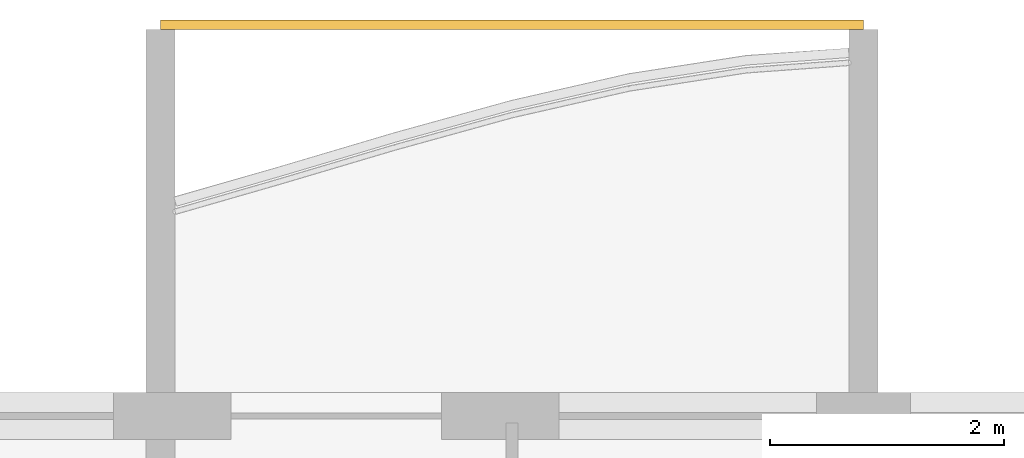
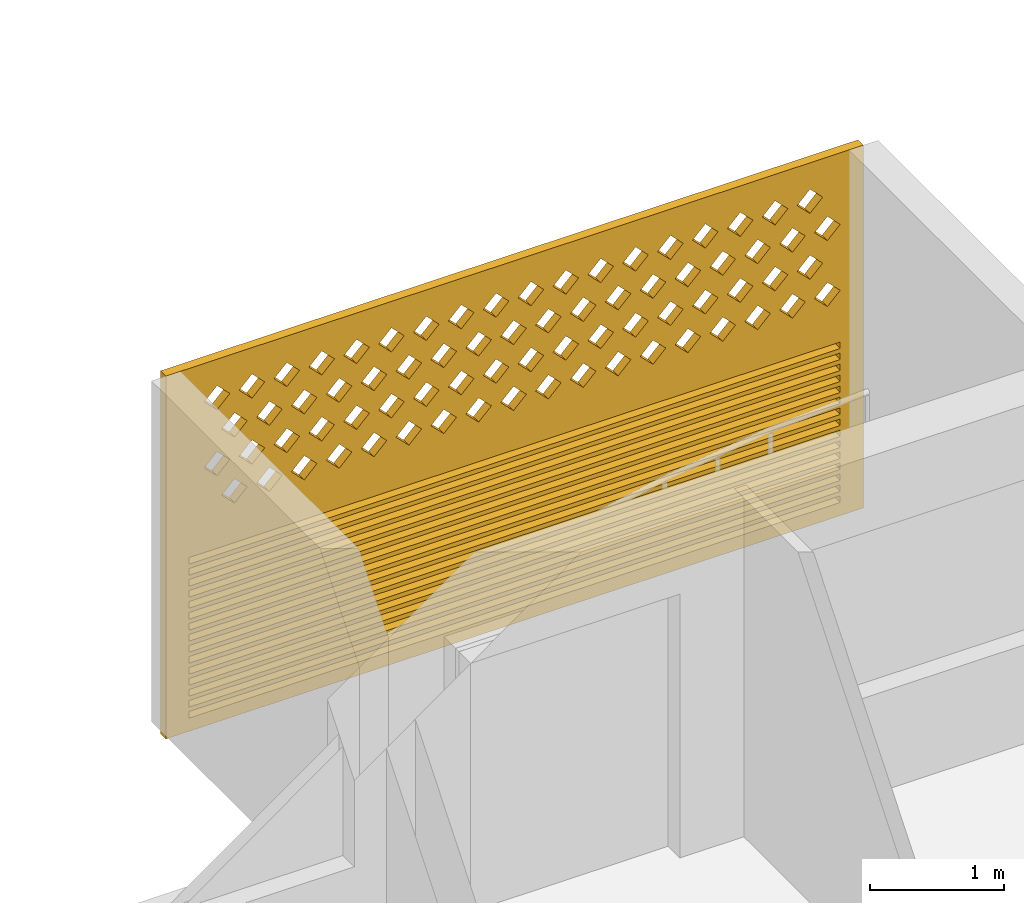
# One storey, part 21 of 27: 1 covering.
"""IFC4 building model written with IfcOpenShell, lengths in metres."""

from ifc_helpers import new_model, si_unit, direction, frame, origin, place, context, subcontext, project, spatial, polyline, outline, extrude, source, transform, mapped, material, material_profile, profile_set, type_object, element, save


model = new_model("IFC4")

# Units and contexts
model_context = context("Model", 3, precision=1e-05, world=origin(), true_north=direction((0.0, 1.0)))
body_context = subcontext(model_context, "Body", "Model", "MODEL_VIEW")
ifc_project = project(units=[si_unit("LENGTHUNIT", "METRE"), si_unit("AREAUNIT", "SQUARE_METRE"), si_unit("VOLUMEUNIT", "CUBIC_METRE"), si_unit("PLANEANGLEUNIT", "RADIAN"), si_unit("MASSUNIT", "GRAM", prefix="KILO")], contexts=[model_context])

# Site, building, storey
site_placement = place(None, origin())
site = spatial("IfcSite", under=ifc_project, at=site_placement, CompositionType="ELEMENT")
building_placement = place(site_placement, origin())
building = spatial("IfcBuilding", under=site, at=building_placement, Name="Poui Terraces", CompositionType="ELEMENT")
storey_placement = place(building_placement, frame((0.0, 0.0, 198.300048828125)))
storey = spatial("IfcBuildingStorey", under=building, at=storey_placement, Name="L55", CompositionType="ELEMENT", Elevation=198.300048828125)

# Covering
ifc_material = material(Name="Terracotta screen", Category="masonry")
ifc_material_profile = material_profile(ifc_material, outline(polyline([(-3.0, -1.64990234375), (3.0, -1.64990234375), (3.0, 1.64990234375), (-3.0, 1.64990234375), (-3.0, -1.64990234375)]), holes=[polyline([(-2.800048828125, 0.39990234375), (-2.68994140625, 0.2900390625), (-2.580078125, 0.39990234375), (-2.68994140625, 0.510009765625), (-2.800048828125, 0.39990234375)]), polyline([(-2.5, 0.39990234375), (-2.389892578125, 0.2900390625), (-2.280029296875, 0.39990234375), (-2.389892578125, 0.510009765625), (-2.5, 0.39990234375)]), polyline([(-2.199951171875, 0.39990234375), (-2.090087890625, 0.2900390625), (-1.97998046875, 0.39990234375), (-2.090087890625, 0.510009765625), (-2.199951171875, 0.39990234375)]), polyline([(-1.89990234375, 0.39990234375), (-1.7900390625, 0.2900390625), (-1.679931640625, 0.39990234375), (-1.7900390625, 0.510009765625), (-1.89990234375, 0.39990234375)]), polyline([(-1.60009765625, 0.39990234375), (-1.489990234375, 0.2900390625), (-1.3798828125, 0.39990234375), (-1.489990234375, 0.510009765625), (-1.60009765625, 0.39990234375)]), polyline([(-1.300048828125, 0.39990234375), (-1.18994140625, 0.2900390625), (-1.080078125, 0.39990234375), (-1.18994140625, 0.510009765625), (-1.300048828125, 0.39990234375)]), polyline([(-1.0, 0.39990234375), (-0.889892578125, 0.2900390625), (-0.780029296875, 0.39990234375), (-0.889892578125, 0.510009765625), (-1.0, 0.39990234375)]), polyline([(-0.699951171875, 0.39990234375), (-0.590087890625, 0.2900390625), (-0.47998046875, 0.39990234375), (-0.590087890625, 0.510009765625), (-0.699951171875, 0.39990234375)]), polyline([(-0.39990234375, 0.39990234375), (-0.2900390625, 0.2900390625), (-0.179931640625, 0.39990234375), (-0.2900390625, 0.510009765625), (-0.39990234375, 0.39990234375)]), polyline([(-0.10009765625, 0.39990234375), (0.010009765625, 0.2900390625), (0.1201171875, 0.39990234375), (0.010009765625, 0.510009765625), (-0.10009765625, 0.39990234375)]), polyline([(0.199951171875, 0.39990234375), (0.31005859375, 0.2900390625), (0.419921875, 0.39990234375), (0.31005859375, 0.510009765625), (0.199951171875, 0.39990234375)]), polyline([(0.5, 0.39990234375), (0.610107421875, 0.2900390625), (0.719970703125, 0.39990234375), (0.610107421875, 0.510009765625), (0.5, 0.39990234375)]), polyline([(0.800048828125, 0.39990234375), (0.909912109375, 0.2900390625), (1.02001953125, 0.39990234375), (0.909912109375, 0.510009765625), (0.800048828125, 0.39990234375)]), polyline([(1.10009765625, 0.39990234375), (1.2099609375, 0.2900390625), (1.320068359375, 0.39990234375), (1.2099609375, 0.510009765625), (1.10009765625, 0.39990234375)]), polyline([(1.39990234375, 0.39990234375), (1.510009765625, 0.2900390625), (1.6201171875, 0.39990234375), (1.510009765625, 0.510009765625), (1.39990234375, 0.39990234375)]), polyline([(1.699951171875, 0.39990234375), (1.81005859375, 0.2900390625), (1.919921875, 0.39990234375), (1.81005859375, 0.510009765625), (1.699951171875, 0.39990234375)]), polyline([(2.0, 0.39990234375), (2.110107421875, 0.2900390625), (2.219970703125, 0.39990234375), (2.110107421875, 0.510009765625), (2.0, 0.39990234375)]), polyline([(2.300048828125, 0.39990234375), (2.409912109375, 0.2900390625), (2.52001953125, 0.39990234375), (2.409912109375, 0.510009765625), (2.300048828125, 0.39990234375)]), polyline([(-2.64990234375, 0.699951171875), (-2.5400390625, 0.590087890625), (-2.429931640625, 0.699951171875), (-2.5400390625, 0.81005859375), (-2.64990234375, 0.699951171875)]), polyline([(-2.35009765625, 0.699951171875), (-2.239990234375, 0.590087890625), (-2.1298828125, 0.699951171875), (-2.239990234375, 0.81005859375), (-2.35009765625, 0.699951171875)]), polyline([(-2.050048828125, 0.699951171875), (-1.93994140625, 0.590087890625), (-1.830078125, 0.699951171875), (-1.93994140625, 0.81005859375), (-2.050048828125, 0.699951171875)]), polyline([(-1.75, 0.699951171875), (-1.639892578125, 0.590087890625), (-1.530029296875, 0.699951171875), (-1.639892578125, 0.81005859375), (-1.75, 0.699951171875)]), polyline([(-1.449951171875, 0.699951171875), (-1.340087890625, 0.590087890625), (-1.22998046875, 0.699951171875), (-1.340087890625, 0.81005859375), (-1.449951171875, 0.699951171875)]), polyline([(-1.14990234375, 0.699951171875), (-1.0400390625, 0.590087890625), (-0.929931640625, 0.699951171875), (-1.0400390625, 0.81005859375), (-1.14990234375, 0.699951171875)]), polyline([(-0.85009765625, 0.699951171875), (-0.739990234375, 0.590087890625), (-0.6298828125, 0.699951171875), (-0.739990234375, 0.81005859375), (-0.85009765625, 0.699951171875)]), polyline([(-0.550048828125, 0.699951171875), (-0.43994140625, 0.590087890625), (-0.330078125, 0.699951171875), (-0.43994140625, 0.81005859375), (-0.550048828125, 0.699951171875)]), polyline([(-0.25, 0.699951171875), (-0.139892578125, 0.590087890625), (-0.030029296875, 0.699951171875), (-0.139892578125, 0.81005859375), (-0.25, 0.699951171875)]), polyline([(0.050048828125, 0.699951171875), (0.159912109375, 0.590087890625), (0.27001953125, 0.699951171875), (0.159912109375, 0.81005859375), (0.050048828125, 0.699951171875)]), polyline([(0.35009765625, 0.699951171875), (0.4599609375, 0.590087890625), (0.570068359375, 0.699951171875), (0.4599609375, 0.81005859375), (0.35009765625, 0.699951171875)]), polyline([(0.64990234375, 0.699951171875), (0.760009765625, 0.590087890625), (0.8701171875, 0.699951171875), (0.760009765625, 0.81005859375), (0.64990234375, 0.699951171875)]), polyline([(0.949951171875, 0.699951171875), (1.06005859375, 0.590087890625), (1.169921875, 0.699951171875), (1.06005859375, 0.81005859375), (0.949951171875, 0.699951171875)]), polyline([(1.25, 0.699951171875), (1.360107421875, 0.590087890625), (1.469970703125, 0.699951171875), (1.360107421875, 0.81005859375), (1.25, 0.699951171875)]), polyline([(1.550048828125, 0.699951171875), (1.659912109375, 0.590087890625), (1.77001953125, 0.699951171875), (1.659912109375, 0.81005859375), (1.550048828125, 0.699951171875)]), polyline([(1.85009765625, 0.699951171875), (1.9599609375, 0.590087890625), (2.070068359375, 0.699951171875), (1.9599609375, 0.81005859375), (1.85009765625, 0.699951171875)]), polyline([(2.14990234375, 0.699951171875), (2.260009765625, 0.590087890625), (2.3701171875, 0.699951171875), (2.260009765625, 0.81005859375), (2.14990234375, 0.699951171875)]), polyline([(2.449951171875, 0.699951171875), (2.56005859375, 0.590087890625), (2.669921875, 0.699951171875), (2.56005859375, 0.81005859375), (2.449951171875, 0.699951171875)]), polyline([(-2.800048828125, 1.0), (-2.68994140625, 0.889892578125), (-2.580078125, 1.0), (-2.68994140625, 1.110107421875), (-2.800048828125, 1.0)]), polyline([(-2.5, 1.0), (-2.389892578125, 0.889892578125), (-2.280029296875, 1.0), (-2.389892578125, 1.110107421875), (-2.5, 1.0)]), polyline([(-2.199951171875, 1.0), (-2.090087890625, 0.889892578125), (-1.97998046875, 1.0), (-2.090087890625, 1.110107421875), (-2.199951171875, 1.0)]), polyline([(-1.89990234375, 1.0), (-1.7900390625, 0.889892578125), (-1.679931640625, 1.0), (-1.7900390625, 1.110107421875), (-1.89990234375, 1.0)]), polyline([(-1.60009765625, 1.0), (-1.489990234375, 0.889892578125), (-1.3798828125, 1.0), (-1.489990234375, 1.110107421875), (-1.60009765625, 1.0)]), polyline([(-1.300048828125, 1.0), (-1.18994140625, 0.889892578125), (-1.080078125, 1.0), (-1.18994140625, 1.110107421875), (-1.300048828125, 1.0)]), polyline([(-1.0, 1.0), (-0.889892578125, 0.889892578125), (-0.780029296875, 1.0), (-0.889892578125, 1.110107421875), (-1.0, 1.0)]), polyline([(-0.699951171875, 1.0), (-0.590087890625, 0.889892578125), (-0.47998046875, 1.0), (-0.590087890625, 1.110107421875), (-0.699951171875, 1.0)]), polyline([(-0.39990234375, 1.0), (-0.2900390625, 0.889892578125), (-0.179931640625, 1.0), (-0.2900390625, 1.110107421875), (-0.39990234375, 1.0)]), polyline([(-0.10009765625, 1.0), (0.010009765625, 0.889892578125), (0.1201171875, 1.0), (0.010009765625, 1.110107421875), (-0.10009765625, 1.0)]), polyline([(0.199951171875, 1.0), (0.31005859375, 0.889892578125), (0.419921875, 1.0), (0.31005859375, 1.110107421875), (0.199951171875, 1.0)]), polyline([(0.5, 1.0), (0.610107421875, 0.889892578125), (0.719970703125, 1.0), (0.610107421875, 1.110107421875), (0.5, 1.0)]), polyline([(0.800048828125, 1.0), (0.909912109375, 0.889892578125), (1.02001953125, 1.0), (0.909912109375, 1.110107421875), (0.800048828125, 1.0)]), polyline([(1.10009765625, 1.0), (1.2099609375, 0.889892578125), (1.320068359375, 1.0), (1.2099609375, 1.110107421875), (1.10009765625, 1.0)]), polyline([(1.39990234375, 1.0), (1.510009765625, 0.889892578125), (1.6201171875, 1.0), (1.510009765625, 1.110107421875), (1.39990234375, 1.0)]), polyline([(1.699951171875, 1.0), (1.81005859375, 0.889892578125), (1.919921875, 1.0), (1.81005859375, 1.110107421875), (1.699951171875, 1.0)]), polyline([(2.0, 1.0), (2.110107421875, 0.889892578125), (2.219970703125, 1.0), (2.110107421875, 1.110107421875), (2.0, 1.0)]), polyline([(2.300048828125, 1.0), (2.409912109375, 0.889892578125), (2.52001953125, 1.0), (2.409912109375, 1.110107421875), (2.300048828125, 1.0)]), polyline([(-2.64990234375, 1.300048828125), (-2.5400390625, 1.18994140625), (-2.429931640625, 1.300048828125), (-2.5400390625, 1.409912109375), (-2.64990234375, 1.300048828125)]), polyline([(-2.35009765625, 1.300048828125), (-2.239990234375, 1.18994140625), (-2.1298828125, 1.300048828125), (-2.239990234375, 1.409912109375), (-2.35009765625, 1.300048828125)]), polyline([(-2.050048828125, 1.300048828125), (-1.93994140625, 1.18994140625), (-1.830078125, 1.300048828125), (-1.93994140625, 1.409912109375), (-2.050048828125, 1.300048828125)]), polyline([(-1.75, 1.300048828125), (-1.639892578125, 1.18994140625), (-1.530029296875, 1.300048828125), (-1.639892578125, 1.409912109375), (-1.75, 1.300048828125)]), polyline([(-1.449951171875, 1.300048828125), (-1.340087890625, 1.18994140625), (-1.22998046875, 1.300048828125), (-1.340087890625, 1.409912109375), (-1.449951171875, 1.300048828125)]), polyline([(-1.14990234375, 1.300048828125), (-1.0400390625, 1.18994140625), (-0.929931640625, 1.300048828125), (-1.0400390625, 1.409912109375), (-1.14990234375, 1.300048828125)]), polyline([(-0.85009765625, 1.300048828125), (-0.739990234375, 1.18994140625), (-0.6298828125, 1.300048828125), (-0.739990234375, 1.409912109375), (-0.85009765625, 1.300048828125)]), polyline([(-0.550048828125, 1.300048828125), (-0.43994140625, 1.18994140625), (-0.330078125, 1.300048828125), (-0.43994140625, 1.409912109375), (-0.550048828125, 1.300048828125)]), polyline([(-0.25, 1.300048828125), (-0.139892578125, 1.18994140625), (-0.030029296875, 1.300048828125), (-0.139892578125, 1.409912109375), (-0.25, 1.300048828125)]), polyline([(0.050048828125, 1.300048828125), (0.159912109375, 1.18994140625), (0.27001953125, 1.300048828125), (0.159912109375, 1.409912109375), (0.050048828125, 1.300048828125)]), polyline([(0.35009765625, 1.300048828125), (0.4599609375, 1.18994140625), (0.570068359375, 1.300048828125), (0.4599609375, 1.409912109375), (0.35009765625, 1.300048828125)]), polyline([(0.64990234375, 1.300048828125), (0.760009765625, 1.18994140625), (0.8701171875, 1.300048828125), (0.760009765625, 1.409912109375), (0.64990234375, 1.300048828125)]), polyline([(0.949951171875, 1.300048828125), (1.06005859375, 1.18994140625), (1.169921875, 1.300048828125), (1.06005859375, 1.409912109375), (0.949951171875, 1.300048828125)]), polyline([(1.25, 1.300048828125), (1.360107421875, 1.18994140625), (1.469970703125, 1.300048828125), (1.360107421875, 1.409912109375), (1.25, 1.300048828125)]), polyline([(1.550048828125, 1.300048828125), (1.659912109375, 1.18994140625), (1.77001953125, 1.300048828125), (1.659912109375, 1.409912109375), (1.550048828125, 1.300048828125)]), polyline([(1.85009765625, 1.300048828125), (1.9599609375, 1.18994140625), (2.070068359375, 1.300048828125), (1.9599609375, 1.409912109375), (1.85009765625, 1.300048828125)]), polyline([(2.14990234375, 1.300048828125), (2.260009765625, 1.18994140625), (2.3701171875, 1.300048828125), (2.260009765625, 1.409912109375), (2.14990234375, 1.300048828125)]), polyline([(2.449951171875, 1.300048828125), (2.56005859375, 1.18994140625), (2.669921875, 1.300048828125), (2.56005859375, 1.409912109375), (2.449951171875, 1.300048828125)]), polyline([(-2.800048828125, -1.530029296875), (2.800048828125, -1.530029296875), (2.800048828125, -1.469970703125), (-2.800048828125, -1.469970703125), (-2.800048828125, -1.530029296875)]), polyline([(-2.800048828125, -1.429931640625), (2.800048828125, -1.429931640625), (2.800048828125, -1.3701171875), (-2.800048828125, -1.3701171875), (-2.800048828125, -1.429931640625)]), polyline([(-2.800048828125, -1.330078125), (2.800048828125, -1.330078125), (2.800048828125, -1.27001953125), (-2.800048828125, -1.27001953125), (-2.800048828125, -1.330078125)]), polyline([(-2.800048828125, -1.22998046875), (2.800048828125, -1.22998046875), (2.800048828125, -1.169921875), (-2.800048828125, -1.169921875), (-2.800048828125, -1.22998046875)]), polyline([(-2.800048828125, -1.1298828125), (2.800048828125, -1.1298828125), (2.800048828125, -1.070068359375), (-2.800048828125, -1.070068359375), (-2.800048828125, -1.1298828125)]), polyline([(-2.800048828125, -1.030029296875), (2.800048828125, -1.030029296875), (2.800048828125, -0.969970703125), (-2.800048828125, -0.969970703125), (-2.800048828125, -1.030029296875)]), polyline([(-2.800048828125, -0.929931640625), (2.800048828125, -0.929931640625), (2.800048828125, -0.8701171875), (-2.800048828125, -0.8701171875), (-2.800048828125, -0.929931640625)]), polyline([(-2.800048828125, -0.830078125), (2.800048828125, -0.830078125), (2.800048828125, -0.77001953125), (-2.800048828125, -0.77001953125), (-2.800048828125, -0.830078125)]), polyline([(-2.800048828125, -0.72998046875), (2.800048828125, -0.72998046875), (2.800048828125, -0.669921875), (-2.800048828125, -0.669921875), (-2.800048828125, -0.72998046875)]), polyline([(-2.800048828125, -0.6298828125), (2.800048828125, -0.6298828125), (2.800048828125, -0.570068359375), (-2.800048828125, -0.570068359375), (-2.800048828125, -0.6298828125)]), polyline([(-2.800048828125, -0.530029296875), (2.800048828125, -0.530029296875), (2.800048828125, -0.469970703125), (-2.800048828125, -0.469970703125), (-2.800048828125, -0.530029296875)]), polyline([(-2.800048828125, -0.429931640625), (2.800048828125, -0.429931640625), (2.800048828125, -0.3701171875), (-2.800048828125, -0.3701171875), (-2.800048828125, -0.429931640625)]), polyline([(-2.800048828125, -0.330078125), (2.800048828125, -0.330078125), (2.800048828125, -0.27001953125), (-2.800048828125, -0.27001953125), (-2.800048828125, -0.330078125)]), polyline([(-2.800048828125, -0.22998046875), (2.800048828125, -0.22998046875), (2.800048828125, -0.169921875), (-2.800048828125, -0.169921875), (-2.800048828125, -0.22998046875)]), polyline([(-2.800048828125, -0.1298828125), (2.800048828125, -0.1298828125), (2.800048828125, -0.070068359375), (-2.800048828125, -0.070068359375), (-2.800048828125, -0.1298828125)])]), Name="TERRACOTTA SCREEN AND JALOUSIE LOUVRE 6000X3300")
ifc_profile_set = profile_set([ifc_material_profile], Name="Terracotta screen")
covering_type = type_object("IfcCoveringType", Name="TERRACOTTA SCREEN AND JALOUSIE LOUVRE 6000X3300", PredefinedType="CLADDING", material=ifc_profile_set)
shared_shape = source(origin(), body_context, "Body", "SweptSolid", [
    extrude(outline(polyline([(-3.0, -1.64990234375), (3.0, -1.64990234375), (3.0, 1.64990234375), (-3.0, 1.64990234375), (-3.0, -1.64990234375)]), holes=[polyline([(-2.800048828125, 0.39990234375), (-2.68994140625, 0.2900390625), (-2.580078125, 0.39990234375), (-2.68994140625, 0.510009765625), (-2.800048828125, 0.39990234375)]), polyline([(-2.5, 0.39990234375), (-2.389892578125, 0.2900390625), (-2.280029296875, 0.39990234375), (-2.389892578125, 0.510009765625), (-2.5, 0.39990234375)]), polyline([(-2.199951171875, 0.39990234375), (-2.090087890625, 0.2900390625), (-1.97998046875, 0.39990234375), (-2.090087890625, 0.510009765625), (-2.199951171875, 0.39990234375)]), polyline([(-1.89990234375, 0.39990234375), (-1.7900390625, 0.2900390625), (-1.679931640625, 0.39990234375), (-1.7900390625, 0.510009765625), (-1.89990234375, 0.39990234375)]), polyline([(-1.60009765625, 0.39990234375), (-1.489990234375, 0.2900390625), (-1.3798828125, 0.39990234375), (-1.489990234375, 0.510009765625), (-1.60009765625, 0.39990234375)]), polyline([(-1.300048828125, 0.39990234375), (-1.18994140625, 0.2900390625), (-1.080078125, 0.39990234375), (-1.18994140625, 0.510009765625), (-1.300048828125, 0.39990234375)]), polyline([(-1.0, 0.39990234375), (-0.889892578125, 0.2900390625), (-0.780029296875, 0.39990234375), (-0.889892578125, 0.510009765625), (-1.0, 0.39990234375)]), polyline([(-0.699951171875, 0.39990234375), (-0.590087890625, 0.2900390625), (-0.47998046875, 0.39990234375), (-0.590087890625, 0.510009765625), (-0.699951171875, 0.39990234375)]), polyline([(-0.39990234375, 0.39990234375), (-0.2900390625, 0.2900390625), (-0.179931640625, 0.39990234375), (-0.2900390625, 0.510009765625), (-0.39990234375, 0.39990234375)]), polyline([(-0.10009765625, 0.39990234375), (0.010009765625, 0.2900390625), (0.1201171875, 0.39990234375), (0.010009765625, 0.510009765625), (-0.10009765625, 0.39990234375)]), polyline([(0.199951171875, 0.39990234375), (0.31005859375, 0.2900390625), (0.419921875, 0.39990234375), (0.31005859375, 0.510009765625), (0.199951171875, 0.39990234375)]), polyline([(0.5, 0.39990234375), (0.610107421875, 0.2900390625), (0.719970703125, 0.39990234375), (0.610107421875, 0.510009765625), (0.5, 0.39990234375)]), polyline([(0.800048828125, 0.39990234375), (0.909912109375, 0.2900390625), (1.02001953125, 0.39990234375), (0.909912109375, 0.510009765625), (0.800048828125, 0.39990234375)]), polyline([(1.10009765625, 0.39990234375), (1.2099609375, 0.2900390625), (1.320068359375, 0.39990234375), (1.2099609375, 0.510009765625), (1.10009765625, 0.39990234375)]), polyline([(1.39990234375, 0.39990234375), (1.510009765625, 0.2900390625), (1.6201171875, 0.39990234375), (1.510009765625, 0.510009765625), (1.39990234375, 0.39990234375)]), polyline([(1.699951171875, 0.39990234375), (1.81005859375, 0.2900390625), (1.919921875, 0.39990234375), (1.81005859375, 0.510009765625), (1.699951171875, 0.39990234375)]), polyline([(2.0, 0.39990234375), (2.110107421875, 0.2900390625), (2.219970703125, 0.39990234375), (2.110107421875, 0.510009765625), (2.0, 0.39990234375)]), polyline([(2.300048828125, 0.39990234375), (2.409912109375, 0.2900390625), (2.52001953125, 0.39990234375), (2.409912109375, 0.510009765625), (2.300048828125, 0.39990234375)]), polyline([(-2.64990234375, 0.699951171875), (-2.5400390625, 0.590087890625), (-2.429931640625, 0.699951171875), (-2.5400390625, 0.81005859375), (-2.64990234375, 0.699951171875)]), polyline([(-2.35009765625, 0.699951171875), (-2.239990234375, 0.590087890625), (-2.1298828125, 0.699951171875), (-2.239990234375, 0.81005859375), (-2.35009765625, 0.699951171875)]), polyline([(-2.050048828125, 0.699951171875), (-1.93994140625, 0.590087890625), (-1.830078125, 0.699951171875), (-1.93994140625, 0.81005859375), (-2.050048828125, 0.699951171875)]), polyline([(-1.75, 0.699951171875), (-1.639892578125, 0.590087890625), (-1.530029296875, 0.699951171875), (-1.639892578125, 0.81005859375), (-1.75, 0.699951171875)]), polyline([(-1.449951171875, 0.699951171875), (-1.340087890625, 0.590087890625), (-1.22998046875, 0.699951171875), (-1.340087890625, 0.81005859375), (-1.449951171875, 0.699951171875)]), polyline([(-1.14990234375, 0.699951171875), (-1.0400390625, 0.590087890625), (-0.929931640625, 0.699951171875), (-1.0400390625, 0.81005859375), (-1.14990234375, 0.699951171875)]), polyline([(-0.85009765625, 0.699951171875), (-0.739990234375, 0.590087890625), (-0.6298828125, 0.699951171875), (-0.739990234375, 0.81005859375), (-0.85009765625, 0.699951171875)]), polyline([(-0.550048828125, 0.699951171875), (-0.43994140625, 0.590087890625), (-0.330078125, 0.699951171875), (-0.43994140625, 0.81005859375), (-0.550048828125, 0.699951171875)]), polyline([(-0.25, 0.699951171875), (-0.139892578125, 0.590087890625), (-0.030029296875, 0.699951171875), (-0.139892578125, 0.81005859375), (-0.25, 0.699951171875)]), polyline([(0.050048828125, 0.699951171875), (0.159912109375, 0.590087890625), (0.27001953125, 0.699951171875), (0.159912109375, 0.81005859375), (0.050048828125, 0.699951171875)]), polyline([(0.35009765625, 0.699951171875), (0.4599609375, 0.590087890625), (0.570068359375, 0.699951171875), (0.4599609375, 0.81005859375), (0.35009765625, 0.699951171875)]), polyline([(0.64990234375, 0.699951171875), (0.760009765625, 0.590087890625), (0.8701171875, 0.699951171875), (0.760009765625, 0.81005859375), (0.64990234375, 0.699951171875)]), polyline([(0.949951171875, 0.699951171875), (1.06005859375, 0.590087890625), (1.169921875, 0.699951171875), (1.06005859375, 0.81005859375), (0.949951171875, 0.699951171875)]), polyline([(1.25, 0.699951171875), (1.360107421875, 0.590087890625), (1.469970703125, 0.699951171875), (1.360107421875, 0.81005859375), (1.25, 0.699951171875)]), polyline([(1.550048828125, 0.699951171875), (1.659912109375, 0.590087890625), (1.77001953125, 0.699951171875), (1.659912109375, 0.81005859375), (1.550048828125, 0.699951171875)]), polyline([(1.85009765625, 0.699951171875), (1.9599609375, 0.590087890625), (2.070068359375, 0.699951171875), (1.9599609375, 0.81005859375), (1.85009765625, 0.699951171875)]), polyline([(2.14990234375, 0.699951171875), (2.260009765625, 0.590087890625), (2.3701171875, 0.699951171875), (2.260009765625, 0.81005859375), (2.14990234375, 0.699951171875)]), polyline([(2.449951171875, 0.699951171875), (2.56005859375, 0.590087890625), (2.669921875, 0.699951171875), (2.56005859375, 0.81005859375), (2.449951171875, 0.699951171875)]), polyline([(-2.800048828125, 1.0), (-2.68994140625, 0.889892578125), (-2.580078125, 1.0), (-2.68994140625, 1.110107421875), (-2.800048828125, 1.0)]), polyline([(-2.5, 1.0), (-2.389892578125, 0.889892578125), (-2.280029296875, 1.0), (-2.389892578125, 1.110107421875), (-2.5, 1.0)]), polyline([(-2.199951171875, 1.0), (-2.090087890625, 0.889892578125), (-1.97998046875, 1.0), (-2.090087890625, 1.110107421875), (-2.199951171875, 1.0)]), polyline([(-1.89990234375, 1.0), (-1.7900390625, 0.889892578125), (-1.679931640625, 1.0), (-1.7900390625, 1.110107421875), (-1.89990234375, 1.0)]), polyline([(-1.60009765625, 1.0), (-1.489990234375, 0.889892578125), (-1.3798828125, 1.0), (-1.489990234375, 1.110107421875), (-1.60009765625, 1.0)]), polyline([(-1.300048828125, 1.0), (-1.18994140625, 0.889892578125), (-1.080078125, 1.0), (-1.18994140625, 1.110107421875), (-1.300048828125, 1.0)]), polyline([(-1.0, 1.0), (-0.889892578125, 0.889892578125), (-0.780029296875, 1.0), (-0.889892578125, 1.110107421875), (-1.0, 1.0)]), polyline([(-0.699951171875, 1.0), (-0.590087890625, 0.889892578125), (-0.47998046875, 1.0), (-0.590087890625, 1.110107421875), (-0.699951171875, 1.0)]), polyline([(-0.39990234375, 1.0), (-0.2900390625, 0.889892578125), (-0.179931640625, 1.0), (-0.2900390625, 1.110107421875), (-0.39990234375, 1.0)]), polyline([(-0.10009765625, 1.0), (0.010009765625, 0.889892578125), (0.1201171875, 1.0), (0.010009765625, 1.110107421875), (-0.10009765625, 1.0)]), polyline([(0.199951171875, 1.0), (0.31005859375, 0.889892578125), (0.419921875, 1.0), (0.31005859375, 1.110107421875), (0.199951171875, 1.0)]), polyline([(0.5, 1.0), (0.610107421875, 0.889892578125), (0.719970703125, 1.0), (0.610107421875, 1.110107421875), (0.5, 1.0)]), polyline([(0.800048828125, 1.0), (0.909912109375, 0.889892578125), (1.02001953125, 1.0), (0.909912109375, 1.110107421875), (0.800048828125, 1.0)]), polyline([(1.10009765625, 1.0), (1.2099609375, 0.889892578125), (1.320068359375, 1.0), (1.2099609375, 1.110107421875), (1.10009765625, 1.0)]), polyline([(1.39990234375, 1.0), (1.510009765625, 0.889892578125), (1.6201171875, 1.0), (1.510009765625, 1.110107421875), (1.39990234375, 1.0)]), polyline([(1.699951171875, 1.0), (1.81005859375, 0.889892578125), (1.919921875, 1.0), (1.81005859375, 1.110107421875), (1.699951171875, 1.0)]), polyline([(2.0, 1.0), (2.110107421875, 0.889892578125), (2.219970703125, 1.0), (2.110107421875, 1.110107421875), (2.0, 1.0)]), polyline([(2.300048828125, 1.0), (2.409912109375, 0.889892578125), (2.52001953125, 1.0), (2.409912109375, 1.110107421875), (2.300048828125, 1.0)]), polyline([(-2.64990234375, 1.300048828125), (-2.5400390625, 1.18994140625), (-2.429931640625, 1.300048828125), (-2.5400390625, 1.409912109375), (-2.64990234375, 1.300048828125)]), polyline([(-2.35009765625, 1.300048828125), (-2.239990234375, 1.18994140625), (-2.1298828125, 1.300048828125), (-2.239990234375, 1.409912109375), (-2.35009765625, 1.300048828125)]), polyline([(-2.050048828125, 1.300048828125), (-1.93994140625, 1.18994140625), (-1.830078125, 1.300048828125), (-1.93994140625, 1.409912109375), (-2.050048828125, 1.300048828125)]), polyline([(-1.75, 1.300048828125), (-1.639892578125, 1.18994140625), (-1.530029296875, 1.300048828125), (-1.639892578125, 1.409912109375), (-1.75, 1.300048828125)]), polyline([(-1.449951171875, 1.300048828125), (-1.340087890625, 1.18994140625), (-1.22998046875, 1.300048828125), (-1.340087890625, 1.409912109375), (-1.449951171875, 1.300048828125)]), polyline([(-1.14990234375, 1.300048828125), (-1.0400390625, 1.18994140625), (-0.929931640625, 1.300048828125), (-1.0400390625, 1.409912109375), (-1.14990234375, 1.300048828125)]), polyline([(-0.85009765625, 1.300048828125), (-0.739990234375, 1.18994140625), (-0.6298828125, 1.300048828125), (-0.739990234375, 1.409912109375), (-0.85009765625, 1.300048828125)]), polyline([(-0.550048828125, 1.300048828125), (-0.43994140625, 1.18994140625), (-0.330078125, 1.300048828125), (-0.43994140625, 1.409912109375), (-0.550048828125, 1.300048828125)]), polyline([(-0.25, 1.300048828125), (-0.139892578125, 1.18994140625), (-0.030029296875, 1.300048828125), (-0.139892578125, 1.409912109375), (-0.25, 1.300048828125)]), polyline([(0.050048828125, 1.300048828125), (0.159912109375, 1.18994140625), (0.27001953125, 1.300048828125), (0.159912109375, 1.409912109375), (0.050048828125, 1.300048828125)]), polyline([(0.35009765625, 1.300048828125), (0.4599609375, 1.18994140625), (0.570068359375, 1.300048828125), (0.4599609375, 1.409912109375), (0.35009765625, 1.300048828125)]), polyline([(0.64990234375, 1.300048828125), (0.760009765625, 1.18994140625), (0.8701171875, 1.300048828125), (0.760009765625, 1.409912109375), (0.64990234375, 1.300048828125)]), polyline([(0.949951171875, 1.300048828125), (1.06005859375, 1.18994140625), (1.169921875, 1.300048828125), (1.06005859375, 1.409912109375), (0.949951171875, 1.300048828125)]), polyline([(1.25, 1.300048828125), (1.360107421875, 1.18994140625), (1.469970703125, 1.300048828125), (1.360107421875, 1.409912109375), (1.25, 1.300048828125)]), polyline([(1.550048828125, 1.300048828125), (1.659912109375, 1.18994140625), (1.77001953125, 1.300048828125), (1.659912109375, 1.409912109375), (1.550048828125, 1.300048828125)]), polyline([(1.85009765625, 1.300048828125), (1.9599609375, 1.18994140625), (2.070068359375, 1.300048828125), (1.9599609375, 1.409912109375), (1.85009765625, 1.300048828125)]), polyline([(2.14990234375, 1.300048828125), (2.260009765625, 1.18994140625), (2.3701171875, 1.300048828125), (2.260009765625, 1.409912109375), (2.14990234375, 1.300048828125)]), polyline([(2.449951171875, 1.300048828125), (2.56005859375, 1.18994140625), (2.669921875, 1.300048828125), (2.56005859375, 1.409912109375), (2.449951171875, 1.300048828125)]), polyline([(-2.800048828125, -1.530029296875), (2.800048828125, -1.530029296875), (2.800048828125, -1.469970703125), (-2.800048828125, -1.469970703125), (-2.800048828125, -1.530029296875)]), polyline([(-2.800048828125, -1.429931640625), (2.800048828125, -1.429931640625), (2.800048828125, -1.3701171875), (-2.800048828125, -1.3701171875), (-2.800048828125, -1.429931640625)]), polyline([(-2.800048828125, -1.330078125), (2.800048828125, -1.330078125), (2.800048828125, -1.27001953125), (-2.800048828125, -1.27001953125), (-2.800048828125, -1.330078125)]), polyline([(-2.800048828125, -1.22998046875), (2.800048828125, -1.22998046875), (2.800048828125, -1.169921875), (-2.800048828125, -1.169921875), (-2.800048828125, -1.22998046875)]), polyline([(-2.800048828125, -1.1298828125), (2.800048828125, -1.1298828125), (2.800048828125, -1.070068359375), (-2.800048828125, -1.070068359375), (-2.800048828125, -1.1298828125)]), polyline([(-2.800048828125, -1.030029296875), (2.800048828125, -1.030029296875), (2.800048828125, -0.969970703125), (-2.800048828125, -0.969970703125), (-2.800048828125, -1.030029296875)]), polyline([(-2.800048828125, -0.929931640625), (2.800048828125, -0.929931640625), (2.800048828125, -0.8701171875), (-2.800048828125, -0.8701171875), (-2.800048828125, -0.929931640625)]), polyline([(-2.800048828125, -0.830078125), (2.800048828125, -0.830078125), (2.800048828125, -0.77001953125), (-2.800048828125, -0.77001953125), (-2.800048828125, -0.830078125)]), polyline([(-2.800048828125, -0.72998046875), (2.800048828125, -0.72998046875), (2.800048828125, -0.669921875), (-2.800048828125, -0.669921875), (-2.800048828125, -0.72998046875)]), polyline([(-2.800048828125, -0.6298828125), (2.800048828125, -0.6298828125), (2.800048828125, -0.570068359375), (-2.800048828125, -0.570068359375), (-2.800048828125, -0.6298828125)]), polyline([(-2.800048828125, -0.530029296875), (2.800048828125, -0.530029296875), (2.800048828125, -0.469970703125), (-2.800048828125, -0.469970703125), (-2.800048828125, -0.530029296875)]), polyline([(-2.800048828125, -0.429931640625), (2.800048828125, -0.429931640625), (2.800048828125, -0.3701171875), (-2.800048828125, -0.3701171875), (-2.800048828125, -0.429931640625)]), polyline([(-2.800048828125, -0.330078125), (2.800048828125, -0.330078125), (2.800048828125, -0.27001953125), (-2.800048828125, -0.27001953125), (-2.800048828125, -0.330078125)]), polyline([(-2.800048828125, -0.22998046875), (2.800048828125, -0.22998046875), (2.800048828125, -0.169921875), (-2.800048828125, -0.169921875), (-2.800048828125, -0.22998046875)]), polyline([(-2.800048828125, -0.1298828125), (2.800048828125, -0.1298828125), (2.800048828125, -0.070068359375), (-2.800048828125, -0.070068359375), (-2.800048828125, -0.1298828125)])]), origin(), (0.0, 0.0, 1.0), 0.080078125),
])
covering_placement = place(storey_placement, frame((45.0, 44.5, 1.449951171875), z_axis=(0.0, 1.0, 0.0), x_axis=(-1.0, 0.0, 0.0)))
element("IfcCovering", 1, at=covering_placement, inside=storey, type_object=covering_type, Name="SOLAR SCREEN AND JALOUSIE LOUVRE", PredefinedType="CLADDING", context=body_context, shape_type="MappedRepresentation", body=[
    mapped(shared_shape, transform((0.0, 0.0, 0.0))),
])

save(model, "model.ifc")
